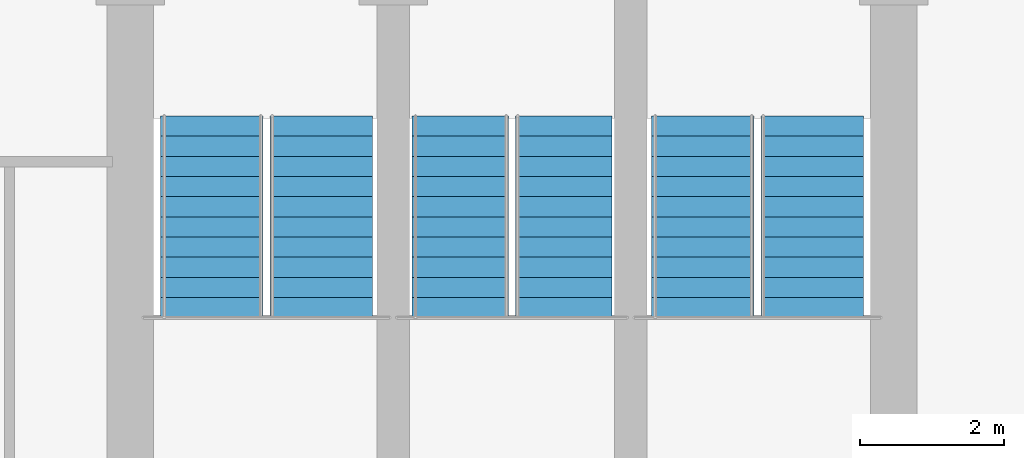
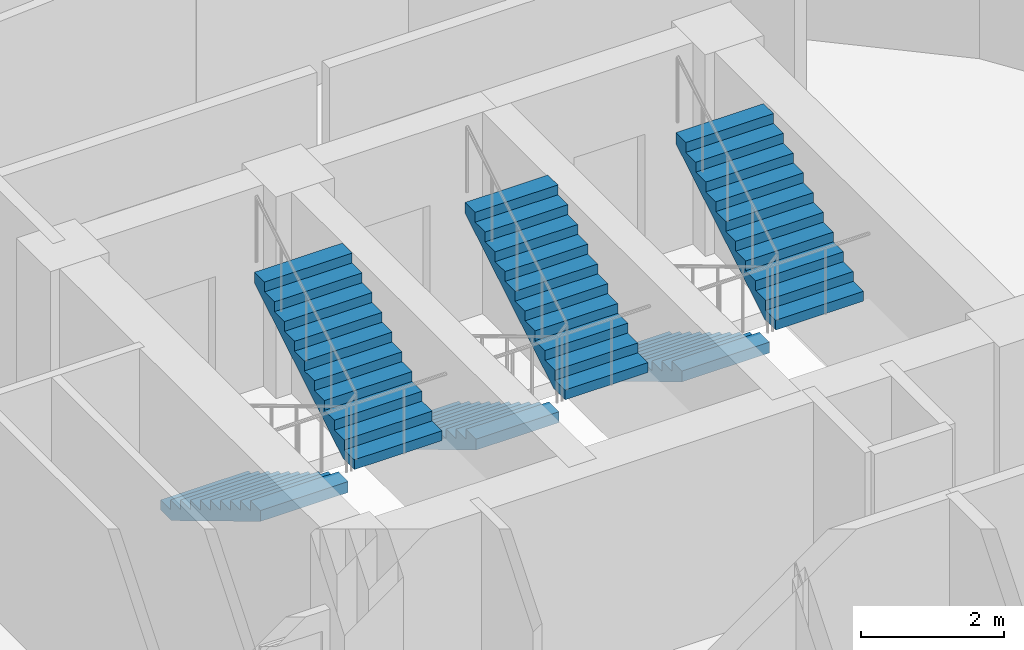
# One storey, part 25 of 26: 6 stair flights, 3 elements without a shape of their own.
"""IFC4 building model written with IfcOpenShell, lengths in metres."""

from ifc_helpers import new_model, si_unit, direction, frame, origin, place, context, subcontext, project, spatial, polyline, outline, extrude, material, type_object, element, aggregate, save


model = new_model("IFC4")

# Units and contexts
model_context = context("Model", 3, precision=1e-05, world=origin(), true_north=direction((0.0, 1.0)))
body_context = subcontext(model_context, "Body", "Model", "MODEL_VIEW")
ifc_project = project(units=[si_unit("LENGTHUNIT", "METRE"), si_unit("AREAUNIT", "SQUARE_METRE"), si_unit("VOLUMEUNIT", "CUBIC_METRE"), si_unit("PLANEANGLEUNIT", "RADIAN"), si_unit("MASSUNIT", "GRAM", prefix="KILO")], contexts=[model_context])

# Site, building, storey
site_placement = place(None, origin())
site = spatial("IfcSite", under=ifc_project, at=site_placement, CompositionType="ELEMENT")
building_placement = place(site_placement, origin())
building = spatial("IfcBuilding", under=site, at=building_placement, Name="Nuhasar Tower", CompositionType="ELEMENT")
storey_placement = place(building_placement, frame((0.0, 0.0, 147.85009765625)))
storey = spatial("IfcBuildingStorey", under=building, at=storey_placement, Name="L35", CompositionType="ELEMENT", Elevation=147.85009765625)

# Stair, stair flights
ifc_material = material(Name="Concrete C45/55", Category="concrete")
stair_type_1 = type_object("IfcStairType", Name="STR-ST-01-2F-22R-1682", PredefinedType="HALF_TURN_STAIR", material=ifc_material)
stair_1_placement = place(storey_placement, origin())
stair_1 = element("IfcStair", 1, at=stair_1_placement, inside=storey, type_object=stair_type_1, Name="L35 Exit Stair ST-01", PredefinedType="HALF_TURN_STAIR")
stair_flight_type_1 = type_object("IfcStairFlightType", Name="SFL-ST-01-11R-1682", PredefinedType="STRAIGHT", material=ifc_material)
stair_flight_1_placement = place(storey_placement, frame((34.830078125, 35.284912109375, 0.0), z_axis=(0.0, 0.0, 1.0), x_axis=(0.0, -1.0, 0.0)))
stair_flight_1 = element("IfcStairFlight", 2, at=stair_flight_1_placement, type_object=stair_flight_type_1, Name="ST-01 flight 1", NumberOfRisers=11, NumberOfTreads=10, PredefinedType="STRAIGHT", RiserHeight=0.168182, TreadLength=0.28, context=body_context, shape_type="SweptSolid", body=[
    extrude(outline(polyline([(0.0, 0.0), (0.0, 0.168212890625), (0.280029296875, 0.168212890625), (0.280029296875, 0.33642578125), (0.56005859375, 0.33642578125), (0.56005859375, 0.504638671875), (0.840087890625, 0.504638671875), (0.840087890625, 0.672607421875), (1.1201171875, 0.672607421875), (1.1201171875, 0.8408203125), (1.39990234375, 0.8408203125), (1.39990234375, 1.009033203125), (1.679931640625, 1.009033203125), (1.679931640625, 1.17724609375), (1.9599609375, 1.17724609375), (1.9599609375, 1.345458984375), (2.239990234375, 1.345458984375), (2.239990234375, 1.513671875), (2.52001953125, 1.513671875), (2.52001953125, 1.681884765625), (2.800048828125, 1.681884765625), (2.800048828125, 1.85009765625), (2.800048828125, 1.495361328125), (0.310546875, 0.0), (0.0, 0.0)])), frame((0.0, 0.7099609375, 0.0), z_axis=(0.0, -1.0, 0.0), x_axis=(1.0, 0.0, 0.0)), (0.0, 0.0, 1.0), 1.419921875),
])
stair_flight_2_placement = place(storey_placement, frame((36.35009765625, 32.485107421875, 1.849853515625), z_axis=(0.0, 0.0, 1.0), x_axis=(0.0, 1.0, 0.0)))
stair_flight_2 = element("IfcStairFlight", 3, at=stair_flight_2_placement, type_object=stair_flight_type_1, Name="ST-01 flight 2", NumberOfRisers=11, NumberOfTreads=10, PredefinedType="STRAIGHT", RiserHeight=0.168182, TreadLength=0.28, context=body_context, shape_type="SweptSolid", body=[
    extrude(outline(polyline([(0.0, 0.0), (0.0, 0.168212890625), (0.280029296875, 0.168212890625), (0.280029296875, 0.33642578125), (0.56005859375, 0.33642578125), (0.56005859375, 0.504638671875), (0.840087890625, 0.504638671875), (0.840087890625, 0.672607421875), (1.1201171875, 0.672607421875), (1.1201171875, 0.8408203125), (1.39990234375, 0.8408203125), (1.39990234375, 1.009033203125), (1.679931640625, 1.009033203125), (1.679931640625, 1.17724609375), (1.9599609375, 1.17724609375), (1.9599609375, 1.345458984375), (2.239990234375, 1.345458984375), (2.239990234375, 1.513671875), (2.52001953125, 1.513671875), (2.52001953125, 1.681884765625), (2.800048828125, 1.681884765625), (2.800048828125, 1.85009765625), (2.800048828125, 1.495361328125), (0.310546875, 0.0), (0.0, 0.0)])), frame((0.0, 0.7099609375, 0.0), z_axis=(0.0, -1.0, 0.0), x_axis=(1.0, 0.0, 0.0)), (0.0, 0.0, 1.0), 1.419921875),
])
aggregate(stair_1, [stair_flight_1, stair_flight_2])

stair_type_2 = type_object("IfcStairType", Name="STR-ST-02-2F-22R-1682", PredefinedType="HALF_TURN_STAIR", material=ifc_material)
stair_2_placement = place(storey_placement, origin())
stair_2 = element("IfcStair", 4, at=stair_2_placement, inside=storey, type_object=stair_type_2, Name="L35 Exit Stair ST-02", PredefinedType="HALF_TURN_STAIR")
stair_flight_type_2 = type_object("IfcStairFlightType", Name="SFL-ST-02-11R-1682", PredefinedType="STRAIGHT", material=ifc_material)
stair_flight_3_placement = place(storey_placement, frame((41.64990234375, 35.284912109375, 0.0), z_axis=(0.0, 0.0, 1.0), x_axis=(0.0, -1.0, 0.0)))
stair_flight_3 = element("IfcStairFlight", 5, at=stair_flight_3_placement, type_object=stair_flight_type_2, Name="ST-02 flight 1", NumberOfRisers=11, NumberOfTreads=10, PredefinedType="STRAIGHT", RiserHeight=0.168182, TreadLength=0.28, context=body_context, shape_type="SweptSolid", body=[
    extrude(outline(polyline([(0.0, 0.0), (0.0, 0.168212890625), (0.280029296875, 0.168212890625), (0.280029296875, 0.33642578125), (0.56005859375, 0.33642578125), (0.56005859375, 0.504638671875), (0.840087890625, 0.504638671875), (0.840087890625, 0.672607421875), (1.1201171875, 0.672607421875), (1.1201171875, 0.8408203125), (1.39990234375, 0.8408203125), (1.39990234375, 1.009033203125), (1.679931640625, 1.009033203125), (1.679931640625, 1.17724609375), (1.9599609375, 1.17724609375), (1.9599609375, 1.345458984375), (2.239990234375, 1.345458984375), (2.239990234375, 1.513671875), (2.52001953125, 1.513671875), (2.52001953125, 1.681884765625), (2.800048828125, 1.681884765625), (2.800048828125, 1.85009765625), (2.800048828125, 1.495361328125), (0.310546875, 0.0), (0.0, 0.0)])), frame((0.0, 0.7099609375, 0.0), z_axis=(0.0, -1.0, 0.0), x_axis=(1.0, 0.0, 0.0)), (0.0, 0.0, 1.0), 1.419921875),
])
stair_flight_4_placement = place(storey_placement, frame((43.169921875, 32.485107421875, 1.849853515625), z_axis=(0.0, 0.0, 1.0), x_axis=(0.0, 1.0, 0.0)))
stair_flight_4 = element("IfcStairFlight", 6, at=stair_flight_4_placement, type_object=stair_flight_type_2, Name="ST-02 flight 2", NumberOfRisers=11, NumberOfTreads=10, PredefinedType="STRAIGHT", RiserHeight=0.168182, TreadLength=0.28, context=body_context, shape_type="SweptSolid", body=[
    extrude(outline(polyline([(0.0, 0.0), (0.0, 0.168212890625), (0.280029296875, 0.168212890625), (0.280029296875, 0.33642578125), (0.56005859375, 0.33642578125), (0.56005859375, 0.504638671875), (0.840087890625, 0.504638671875), (0.840087890625, 0.672607421875), (1.1201171875, 0.672607421875), (1.1201171875, 0.8408203125), (1.39990234375, 0.8408203125), (1.39990234375, 1.009033203125), (1.679931640625, 1.009033203125), (1.679931640625, 1.17724609375), (1.9599609375, 1.17724609375), (1.9599609375, 1.345458984375), (2.239990234375, 1.345458984375), (2.239990234375, 1.513671875), (2.52001953125, 1.513671875), (2.52001953125, 1.681884765625), (2.800048828125, 1.681884765625), (2.800048828125, 1.85009765625), (2.800048828125, 1.495361328125), (0.310546875, 0.0), (0.0, 0.0)])), frame((0.0, 0.7099609375, 0.0), z_axis=(0.0, -1.0, 0.0), x_axis=(1.0, 0.0, 0.0)), (0.0, 0.0, 1.0), 1.419921875),
])
aggregate(stair_2, [stair_flight_3, stair_flight_4])

stair_type_3 = type_object("IfcStairType", Name="STR-ST-03-2F-22R-1682", PredefinedType="HALF_TURN_STAIR", material=ifc_material)
stair_3_placement = place(storey_placement, origin())
stair_3 = element("IfcStair", 7, at=stair_3_placement, inside=storey, type_object=stair_type_3, Name="L35 Exit Stair ST-03", PredefinedType="HALF_TURN_STAIR")
stair_flight_type_3 = type_object("IfcStairFlightType", Name="SFL-ST-03-11R-1682", PredefinedType="STRAIGHT", material=ifc_material)
stair_flight_5_placement = place(storey_placement, frame((38.280029296875, 35.284912109375, 0.0), z_axis=(0.0, 0.0, 1.0), x_axis=(0.0, -1.0, 0.0)))
stair_flight_5 = element("IfcStairFlight", 8, at=stair_flight_5_placement, type_object=stair_flight_type_3, Name="ST-03 flight 1", NumberOfRisers=11, NumberOfTreads=10, PredefinedType="STRAIGHT", RiserHeight=0.168182, TreadLength=0.28, context=body_context, shape_type="SweptSolid", body=[
    extrude(outline(polyline([(0.0, 0.0), (0.0, 0.168212890625), (0.280029296875, 0.168212890625), (0.280029296875, 0.33642578125), (0.56005859375, 0.33642578125), (0.56005859375, 0.504638671875), (0.840087890625, 0.504638671875), (0.840087890625, 0.672607421875), (1.1201171875, 0.672607421875), (1.1201171875, 0.8408203125), (1.39990234375, 0.8408203125), (1.39990234375, 1.009033203125), (1.679931640625, 1.009033203125), (1.679931640625, 1.17724609375), (1.9599609375, 1.17724609375), (1.9599609375, 1.345458984375), (2.239990234375, 1.345458984375), (2.239990234375, 1.513671875), (2.52001953125, 1.513671875), (2.52001953125, 1.681884765625), (2.800048828125, 1.681884765625), (2.800048828125, 1.85009765625), (2.800048828125, 1.495361328125), (0.310546875, 0.0), (0.0, 0.0)])), frame((0.0, 0.669921875, 0.0), z_axis=(0.0, -1.0, 0.0), x_axis=(1.0, 0.0, 0.0)), (0.0, 0.0, 1.0), 1.340087890625),
])
stair_flight_6_placement = place(storey_placement, frame((39.719970703125, 32.485107421875, 1.849853515625), z_axis=(0.0, 0.0, 1.0), x_axis=(0.0, 1.0, 0.0)))
stair_flight_6 = element("IfcStairFlight", 9, at=stair_flight_6_placement, type_object=stair_flight_type_3, Name="ST-03 flight 2", NumberOfRisers=11, NumberOfTreads=10, PredefinedType="STRAIGHT", RiserHeight=0.168182, TreadLength=0.28, context=body_context, shape_type="SweptSolid", body=[
    extrude(outline(polyline([(0.0, 0.0), (0.0, 0.168212890625), (0.280029296875, 0.168212890625), (0.280029296875, 0.33642578125), (0.56005859375, 0.33642578125), (0.56005859375, 0.504638671875), (0.840087890625, 0.504638671875), (0.840087890625, 0.672607421875), (1.1201171875, 0.672607421875), (1.1201171875, 0.8408203125), (1.39990234375, 0.8408203125), (1.39990234375, 1.009033203125), (1.679931640625, 1.009033203125), (1.679931640625, 1.17724609375), (1.9599609375, 1.17724609375), (1.9599609375, 1.345458984375), (2.239990234375, 1.345458984375), (2.239990234375, 1.513671875), (2.52001953125, 1.513671875), (2.52001953125, 1.681884765625), (2.800048828125, 1.681884765625), (2.800048828125, 1.85009765625), (2.800048828125, 1.495361328125), (0.310546875, 0.0), (0.0, 0.0)])), frame((0.0, 0.669921875, 0.0), z_axis=(0.0, -1.0, 0.0), x_axis=(1.0, 0.0, 0.0)), (0.0, 0.0, 1.0), 1.340087890625),
])
aggregate(stair_3, [stair_flight_5, stair_flight_6])

save(model, "model.ifc")
